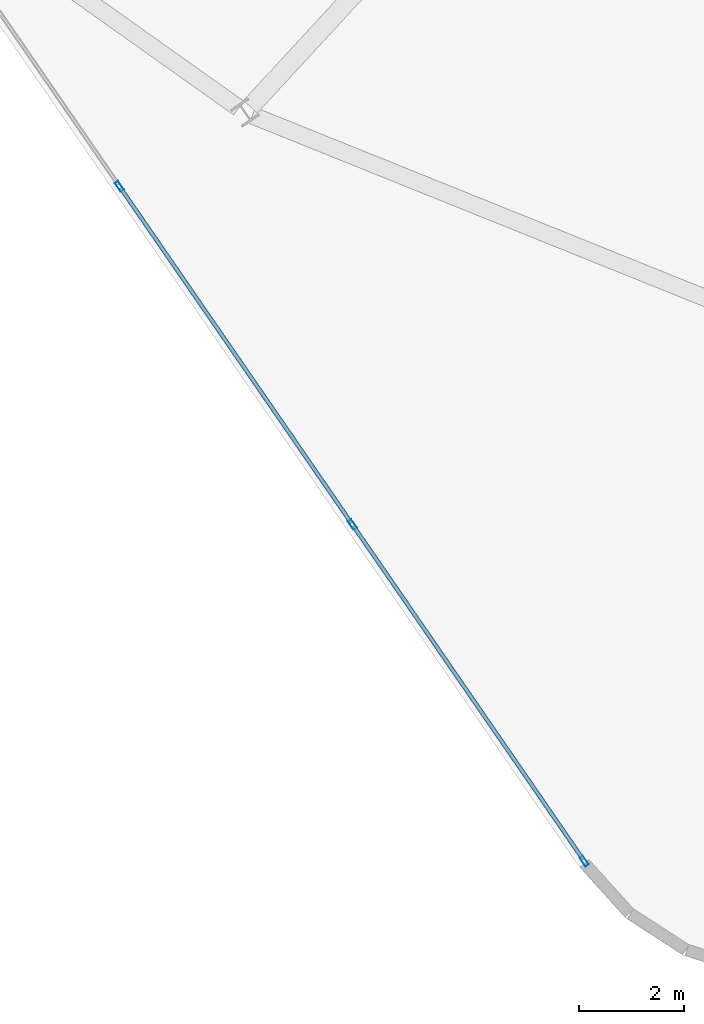
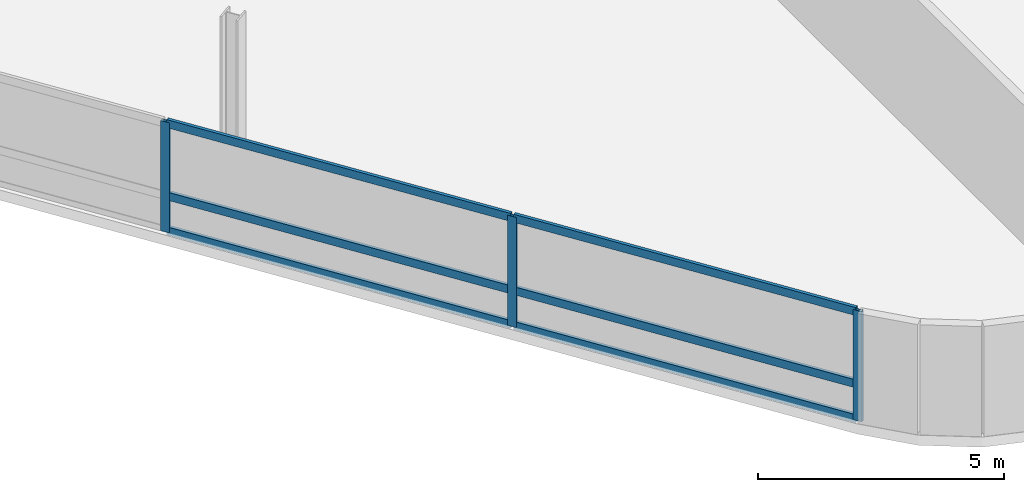
# One storey, part 3 of 21: 9 members, 1 element without a shape of its own.
"""IFC4 building model written with IfcOpenShell, lengths in metres."""

from ifc_helpers import new_model, si_unit, direction, frame, origin, origin_2d, place, context, subcontext, project, spatial, hollow_rectangle, extrude, material, layer, layer_set, material_profile, profile_set, type_object, element, aggregate, save


model = new_model("IFC4")

# Units and contexts
model_context = context("Model", 3, precision=1e-05, world=origin(), true_north=direction((0.0, 1.0)))
body_context = subcontext(model_context, "Body", "Model", "MODEL_VIEW")
ifc_project = project(units=[si_unit("LENGTHUNIT", "METRE"), si_unit("AREAUNIT", "SQUARE_METRE"), si_unit("VOLUMEUNIT", "CUBIC_METRE"), si_unit("PLANEANGLEUNIT", "RADIAN"), si_unit("MASSUNIT", "GRAM", prefix="KILO")], contexts=[model_context])

# Site, building, storey
site_placement = place(None, origin())
site = spatial("IfcSite", under=ifc_project, at=site_placement, CompositionType="ELEMENT")
building_placement = place(site_placement, origin())
building = spatial("IfcBuilding", under=site, at=building_placement, Name="Varnelok Gate Tower", CompositionType="ELEMENT")
storey_placement = place(building_placement, frame((0.0, 0.0, 269.300048828125)))
storey = spatial("IfcBuildingStorey", under=building, at=storey_placement, Name="L69", CompositionType="ELEMENT", Elevation=269.300048828125)

# Curtain wall, members
ifc_material = material(Name="Anodized Aluminum Alloy 6063-T6", Category="aluminium")
ifc_layer = layer(ifc_material, 0.179931640625)
ifc_layer_set = layer_set([ifc_layer], Name="Anodized Aluminum Alloy 6063-T6")
curtain_wall_type = type_object("IfcCurtainWallType", Name="CW4-RESIDENCE-VISION", PredefinedType="USERDEFINED", material=ifc_layer_set)
curtain_wall_placement = place(storey_placement, origin())
curtain_wall = element("IfcCurtainWall", 1, at=curtain_wall_placement, inside=storey, type_object=curtain_wall_type, Name="L69 West End Vision Curtain Wall", ObjectType="UNITISED CURTAIN WALL", PredefinedType="USERDEFINED")
ifc_material_profile_1 = material_profile(ifc_material, hollow_rectangle(XDim=0.074951171875, YDim=0.199951171875, WallThickness=0.00390625, at=origin_2d()), Name="ALU200X75X4")
ifc_profile_set_1 = profile_set([ifc_material_profile_1], Name="Anodized Aluminum Alloy 6063-T6")
member_type_1 = type_object("IfcMemberType", Name="CW-MULL-200", PredefinedType="MULLION", material=ifc_profile_set_1)
member_1_placement = place(storey_placement, frame((20.884521484375, -6.21337890625, 0.0), z_axis=(0.0, 0.0, 1.0), x_axis=(-0.823532290241, -0.567269395376, 0.0)))
member_1 = element("IfcMember", 2, at=member_1_placement, type_object=member_type_1, Name="CW4 mullion 1", PredefinedType="MULLION", context=body_context, shape_type="SweptSolid", body=[
    extrude(hollow_rectangle(XDim=0.074951171875, YDim=0.199951171875, WallThickness=0.00390625, at=origin_2d()), origin(), (0.0, 0.0, 1.0), 2.72998046875),
])
member_2_placement = place(storey_placement, frame((16.481201171875, 0.17919921875, 0.0), z_axis=(0.0, 0.0, 1.0), x_axis=(-0.823532290241, -0.567269395376, 0.0)))
member_2 = element("IfcMember", 3, at=member_2_placement, type_object=member_type_1, Name="CW4 mullion 2", PredefinedType="MULLION", context=body_context, shape_type="SweptSolid", body=[
    extrude(hollow_rectangle(XDim=0.074951171875, YDim=0.199951171875, WallThickness=0.00390625, at=origin_2d()), origin(), (0.0, 0.0, 1.0), 2.72998046875),
])
member_3_placement = place(storey_placement, frame((12.056396484375, 6.602783203125, 0.0), z_axis=(0.0, 0.0, 1.0), x_axis=(-0.823532290241, -0.567269395376, 0.0)))
member_3 = element("IfcMember", 4, at=member_3_placement, type_object=member_type_1, Name="CW4 mullion 3", PredefinedType="MULLION", context=body_context, shape_type="SweptSolid", body=[
    extrude(hollow_rectangle(XDim=0.074951171875, YDim=0.199951171875, WallThickness=0.00390625, at=origin_2d()), origin(), (0.0, 0.0, 1.0), 2.72998046875),
])
ifc_material_profile_2 = material_profile(ifc_material, hollow_rectangle(XDim=0.074951171875, YDim=0.199951171875, WallThickness=0.00390625, at=origin_2d()), Name="ALU200X75X4")
ifc_profile_set_2 = profile_set([ifc_material_profile_2], Name="Anodized Aluminum Alloy 6063-T6")
member_type_2 = type_object("IfcMemberType", Name="CW-TRAN-200", PredefinedType="USERDEFINED", material=ifc_profile_set_2)
member_4_placement = place(storey_placement, frame((20.86328125, -6.1826171875, 0.037353515625), z_axis=(-0.567256418128, 0.82354122914, 0.0), x_axis=(-0.82354122914, -0.567256418128, 0.0)))
member_4 = element("IfcMember", 5, at=member_4_placement, type_object=member_type_2, Name="CW4 transom 1.1", ObjectType="TRANSOM", PredefinedType="USERDEFINED", context=body_context, shape_type="SweptSolid", body=[
    extrude(hollow_rectangle(XDim=0.074951171875, YDim=0.199951171875, WallThickness=0.00390625, at=origin_2d()), origin(), (0.0, 0.0, 1.0), 7.6875),
])
member_5_placement = place(storey_placement, frame((20.86328125, -6.1826171875, 0.89990234375), z_axis=(-0.567256418128, 0.82354122914, 0.0), x_axis=(-0.82354122914, -0.567256418128, 0.0)))
member_5 = element("IfcMember", 6, at=member_5_placement, type_object=member_type_2, Name="CW4 transom 1.2", ObjectType="TRANSOM", PredefinedType="USERDEFINED", context=body_context, shape_type="SweptSolid", body=[
    extrude(hollow_rectangle(XDim=0.074951171875, YDim=0.199951171875, WallThickness=0.00390625, at=origin_2d()), origin(), (0.0, 0.0, 1.0), 7.6875),
])
member_6_placement = place(storey_placement, frame((20.86328125, -6.1826171875, 2.6923828125), z_axis=(-0.567256418128, 0.82354122914, 0.0), x_axis=(-0.82354122914, -0.567256418128, 0.0)))
member_6 = element("IfcMember", 7, at=member_6_placement, type_object=member_type_2, Name="CW4 transom 1.3", ObjectType="TRANSOM", PredefinedType="USERDEFINED", context=body_context, shape_type="SweptSolid", body=[
    extrude(hollow_rectangle(XDim=0.074951171875, YDim=0.199951171875, WallThickness=0.00390625, at=origin_2d()), origin(), (0.0, 0.0, 1.0), 7.6875),
])
member_7_placement = place(storey_placement, frame((16.459716796875, 0.210205078125, 0.037353515625), z_axis=(-0.567260941086, 0.823538113701, 0.0), x_axis=(-0.823538113701, -0.567260941086, 0.0)))
member_7 = element("IfcMember", 8, at=member_7_placement, type_object=member_type_2, Name="CW4 transom 2.1", ObjectType="TRANSOM", PredefinedType="USERDEFINED", context=body_context, shape_type="SweptSolid", body=[
    extrude(hollow_rectangle(XDim=0.074951171875, YDim=0.199951171875, WallThickness=0.00390625, at=origin_2d()), origin(), (0.0, 0.0, 1.0), 7.72509765625),
])
member_8_placement = place(storey_placement, frame((16.459716796875, 0.210205078125, 0.89990234375), z_axis=(-0.567260941086, 0.823538113701, 0.0), x_axis=(-0.823538113701, -0.567260941086, 0.0)))
member_8 = element("IfcMember", 9, at=member_8_placement, type_object=member_type_2, Name="CW4 transom 2.2", ObjectType="TRANSOM", PredefinedType="USERDEFINED", context=body_context, shape_type="SweptSolid", body=[
    extrude(hollow_rectangle(XDim=0.074951171875, YDim=0.199951171875, WallThickness=0.00390625, at=origin_2d()), origin(), (0.0, 0.0, 1.0), 7.72509765625),
])
member_9_placement = place(storey_placement, frame((16.459716796875, 0.210205078125, 2.6923828125), z_axis=(-0.567260941086, 0.823538113701, 0.0), x_axis=(-0.823538113701, -0.567260941086, 0.0)))
member_9 = element("IfcMember", 10, at=member_9_placement, type_object=member_type_2, Name="CW4 transom 2.3", ObjectType="TRANSOM", PredefinedType="USERDEFINED", context=body_context, shape_type="SweptSolid", body=[
    extrude(hollow_rectangle(XDim=0.074951171875, YDim=0.199951171875, WallThickness=0.00390625, at=origin_2d()), origin(), (0.0, 0.0, 1.0), 7.72509765625),
])
aggregate(curtain_wall, [member_1, member_2, member_3, member_4, member_5, member_6, member_7, member_8, member_9])

save(model, "model.ifc")
